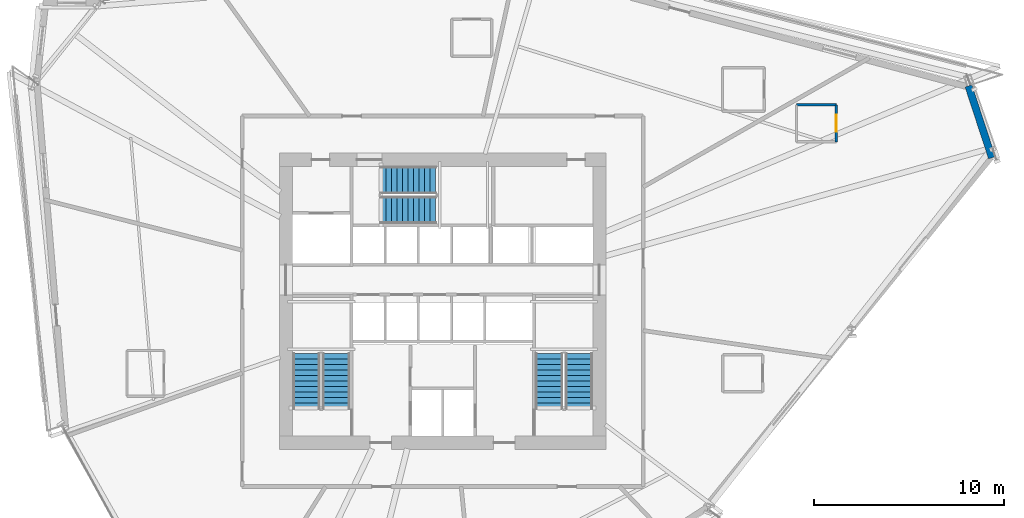
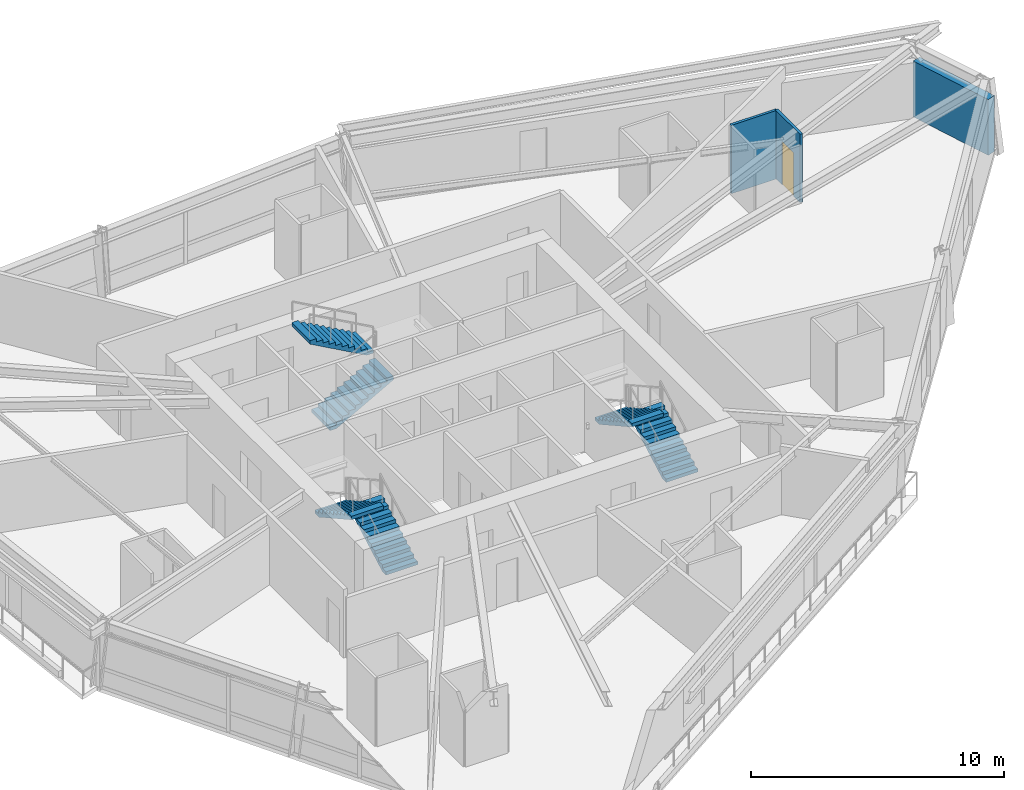
# One storey, part 17 of 21: 6 stair flights, 3 walls, 1 door, 1 opening, 3 elements without a shape of their own.
"""IFC4 building model written with IfcOpenShell, lengths in metres."""

from ifc_helpers import new_model, si_unit, direction, frame, frame_2d, origin, place, context, subcontext, project, spatial, polyline, rectangle, outline, extrude, source, transform, mapped, material, layer, layer_set, type_object, type_shapes, element, fill, aggregate, save


model = new_model("IFC4")

# Units and contexts
model_context = context("Model", 3, precision=1e-05, world=origin(), true_north=direction((0.0, 1.0)))
body_context = subcontext(model_context, "Body", "Model", "MODEL_VIEW")
ifc_project = project(units=[si_unit("LENGTHUNIT", "METRE"), si_unit("AREAUNIT", "SQUARE_METRE"), si_unit("VOLUMEUNIT", "CUBIC_METRE"), si_unit("PLANEANGLEUNIT", "RADIAN"), si_unit("MASSUNIT", "GRAM", prefix="KILO")], contexts=[model_context])

# Site, building, storey
site_placement = place(None, origin())
site = spatial("IfcSite", under=ifc_project, at=site_placement, CompositionType="ELEMENT")
building_placement = place(site_placement, origin())
building = spatial("IfcBuilding", under=site, at=building_placement, Name="Olszyna Solenne Hotel", CompositionType="ELEMENT")
storey_placement = place(building_placement, frame((0.0, 0.0, 109.25)))
storey = spatial("IfcBuildingStorey", under=building, at=storey_placement, Name="L28", CompositionType="ELEMENT", Elevation=109.25)

# Wall
ifc_material_1 = material(Name="Terracotta cladding on precast concrete C45/55", Category="masonry")
ifc_layer_1 = layer(ifc_material_1, 0.3798828125, Name="Terracotta cladding on precast concrete C45/55")
ifc_layer_set_1 = layer_set([ifc_layer_1], Name="Terracotta cladding on precast concrete C45/55")
wall_type_1 = type_object("IfcWallType", Name="WL-EX380", PredefinedType="SOLIDWALL", material=ifc_layer_set_1)
wall_1_placement = place(storey_placement, frame((65.671142578125, 37.9375, 0.0), z_axis=(0.0, 0.0, 1.0), x_axis=(0.311531602634, -0.950235792086, 0.0)))
element("IfcWall", 1, at=wall_1_placement, inside=storey, type_object=wall_type_1, Name="Exterior terracotta-precast frame wall WL-EX380 EW-L28-09", PredefinedType="SOLIDWALL", context=body_context, shape_type="SweptSolid", body=[
    extrude(rectangle(XDim=3.980224609375, YDim=0.3798828125, at=frame_2d((1.990234375, 0.0))), origin(), (0.0, 0.0, 1.0), 2.69189453125),
])

# Wall, opening, door
ifc_material_2 = material(Name="Acoustic gypsum partition", Category="gypsum")
ifc_layer_2 = layer(ifc_material_2, 0.125, Name="Acoustic gypsum partition")
ifc_layer_set_2 = layer_set([ifc_layer_2], Name="Acoustic gypsum partition")
wall_type_2 = type_object("IfcWallType", Name="WL-PT125", PredefinedType="PARTITIONING", material=ifc_layer_set_2)
wall_2_placement = place(storey_placement, frame((58.719970703125, 34.989990234375, 0.0), z_axis=(0.0, 0.0, 1.0), x_axis=(0.0, 1.0, 0.0)))
wall_2 = element("IfcWall", 2, at=wall_2_placement, inside=storey, type_object=wall_type_2, Name="Interior acoustic partition WL-PT125 PW-L28-1642", PredefinedType="PARTITIONING", context=body_context, shape_type="SweptSolid", body=[
    extrude(rectangle(XDim=1.949951171875, YDim=0.125, at=frame_2d((0.97509765625, 0.0))), origin(), (0.0, 0.0, 1.0), 3.300048828125),
])
opening_placement = place(wall_2_placement, frame((0.52490234375, 0.0, 0.0)))
opening = element("IfcOpeningElement", 3, at=opening_placement, cuts=wall_2, Name="Opening DR-L28-0387", PredefinedType="OPENING", context=body_context, shape_type="SweptSolid", body=[
    extrude(rectangle(XDim=0.89990234375, YDim=2.10009765625, at=frame_2d((0.449951171875, 1.050048828125))), frame((0.0, 0.072509765625, 0.0), z_axis=(0.0, -1.0, 0.0), x_axis=(1.0, 0.0, 0.0)), (0.0, 0.0, 1.0), 0.14501953125),
])
ifc_material_3 = material(Name="Timber hardwood", Category="wood")
door_type = type_object("IfcDoorType", Name="DR-WC1", OperationType="NOTDEFINED", PredefinedType="DOOR", material=ifc_material_3)
shared_shape = source(origin(), body_context, "Body", "SweptSolid", [
    extrude(rectangle(XDim=0.89990234375, YDim=2.10009765625, at=frame_2d((0.449951171875, 1.050048828125))), frame((0.0, 0.02490234375, 0.0), z_axis=(0.0, -1.0, 0.0), x_axis=(1.0, 0.0, 0.0)), (0.0, 0.0, 1.0), 0.050048828125),
])
type_shapes(door_type, [shared_shape])
door_placement = place(opening_placement, origin())
door = element("IfcDoor", 4, at=door_placement, inside=storey, type_object=door_type, Name="En-Suite Bathroom Door DR-L28-0387", OperationType="SINGLE_SWING_LEFT", OverallHeight=2.10009765625, OverallWidth=0.89990234375, PredefinedType="DOOR", context=body_context, shape_type="MappedRepresentation", body=[
    mapped(shared_shape, transform((0.0, 0.0, 0.0), x_axis=(1.0, 0.0, 0.0), y_axis=(0.0, 1.0, 0.0), z_axis=(0.0, 0.0, 1.0), scale=1.0)),
])
fill(opening, door)

# Wall
wall_3_placement = place(storey_placement, frame((58.719970703125, 36.93994140625, 0.0), z_axis=(0.0, 0.0, 1.0), x_axis=(-1.0, 0.0, 0.0)))
element("IfcWall", 5, at=wall_3_placement, inside=storey, type_object=wall_type_2, Name="Interior acoustic partition WL-PT125 PW-L28-1643", PredefinedType="PARTITIONING", context=body_context, shape_type="SweptSolid", body=[
    extrude(rectangle(XDim=2.099853515625, YDim=0.125, at=frame_2d((1.0498046875, 0.0))), origin(), (0.0, 0.0, 1.0), 3.300048828125),
])

# Stair, stair flights
ifc_material_4 = material(Name="Concrete C40/50", Category="concrete")
stair_type = type_object("IfcStairType", Name="STR-C1", PredefinedType="TWO_QUARTER_WINDING_STAIR", material=ifc_material_4)
stair_1_placement = place(storey_placement, origin())
stair_1 = element("IfcStair", 6, at=stair_1_placement, inside=storey, type_object=stair_type, Name="L28 ST1", PredefinedType="TWO_QUARTER_WINDING_STAIR")
stair_flight_type = type_object("IfcStairFlightType", Name="FLT-C1", PredefinedType="STRAIGHT", material=ifc_material_4)
stair_flight_1_placement = place(storey_placement, frame((32.39501953125, 20.949951171875, 0.0), z_axis=(0.0, 0.0, 1.0), x_axis=(0.0, 1.0, 0.0)))
stair_flight_1 = element("IfcStairFlight", 7, at=stair_flight_1_placement, type_object=stair_flight_type, Name="ST1 flight 1", NumberOfRisers=11, NumberOfTreads=10, PredefinedType="STRAIGHT", RiserHeight=0.161363636, TreadLength=0.29, context=body_context, shape_type="SweptSolid", body=[
    extrude(outline(polyline([(0.0, 0.0), (0.0, 0.161376953125), (0.2900390625, 0.161376953125), (0.2900390625, 0.32275390625), (0.580078125, 0.32275390625), (0.580078125, 0.484130859375), (0.8701171875, 0.484130859375), (0.8701171875, 0.6455078125), (1.159912109375, 0.6455078125), (1.159912109375, 0.806884765625), (1.449951171875, 0.806884765625), (1.449951171875, 0.96826171875), (1.739990234375, 0.96826171875), (1.739990234375, 1.129638671875), (2.030029296875, 1.129638671875), (2.030029296875, 1.291015625), (2.320068359375, 1.291015625), (2.320068359375, 1.452392578125), (2.610107421875, 1.452392578125), (2.610107421875, 1.613525390625), (2.89990234375, 1.613525390625), (2.89990234375, 1.77490234375), (2.89990234375, 1.442138671875), (0.308349609375, 0.0), (0.0, 0.0)])), frame((0.0, 0.72509765625, 0.0), z_axis=(0.0, -1.0, 0.0), x_axis=(1.0, 0.0, 0.0)), (0.0, 0.0, 1.0), 1.449951171875),
])
stair_flight_2_placement = place(storey_placement, frame((30.824951171875, 23.85009765625, 1.77490234375), z_axis=(0.0, 0.0, 1.0), x_axis=(0.0, -1.0, 0.0)))
stair_flight_2 = element("IfcStairFlight", 8, at=stair_flight_2_placement, type_object=stair_flight_type, Name="ST1 flight 2", NumberOfRisers=11, NumberOfTreads=10, PredefinedType="STRAIGHT", RiserHeight=0.161363636, TreadLength=0.29, context=body_context, shape_type="SweptSolid", body=[
    extrude(outline(polyline([(0.0, 0.0), (0.0, 0.161376953125), (0.2900390625, 0.161376953125), (0.2900390625, 0.32275390625), (0.580078125, 0.32275390625), (0.580078125, 0.484130859375), (0.8701171875, 0.484130859375), (0.8701171875, 0.6455078125), (1.159912109375, 0.6455078125), (1.159912109375, 0.806884765625), (1.449951171875, 0.806884765625), (1.449951171875, 0.96826171875), (1.739990234375, 0.96826171875), (1.739990234375, 1.129638671875), (2.030029296875, 1.129638671875), (2.030029296875, 1.291015625), (2.320068359375, 1.291015625), (2.320068359375, 1.452392578125), (2.610107421875, 1.452392578125), (2.610107421875, 1.613525390625), (2.89990234375, 1.613525390625), (2.89990234375, 1.77490234375), (2.89990234375, 1.442138671875), (0.308349609375, 0.0), (0.0, 0.0)])), frame((0.0, 0.72509765625, 0.0), z_axis=(0.0, -1.0, 0.0), x_axis=(1.0, 0.0, 0.0)), (0.0, 0.0, 1.0), 1.449951171875),
])
aggregate(stair_1, [stair_flight_1, stair_flight_2])

stair_2_placement = place(storey_placement, origin())
stair_2 = element("IfcStair", 9, at=stair_2_placement, inside=storey, type_object=stair_type, Name="L28 ST2", PredefinedType="TWO_QUARTER_WINDING_STAIR")
stair_flight_3_placement = place(storey_placement, frame((45.175048828125, 20.949951171875, 0.0), z_axis=(0.0, 0.0, 1.0), x_axis=(0.0, 1.0, 0.0)))
stair_flight_3 = element("IfcStairFlight", 10, at=stair_flight_3_placement, type_object=stair_flight_type, Name="ST2 flight 1", NumberOfRisers=11, NumberOfTreads=10, PredefinedType="STRAIGHT", RiserHeight=0.161363636, TreadLength=0.29, context=body_context, shape_type="SweptSolid", body=[
    extrude(outline(polyline([(0.0, 0.0), (0.0, 0.161376953125), (0.2900390625, 0.161376953125), (0.2900390625, 0.32275390625), (0.580078125, 0.32275390625), (0.580078125, 0.484130859375), (0.8701171875, 0.484130859375), (0.8701171875, 0.6455078125), (1.159912109375, 0.6455078125), (1.159912109375, 0.806884765625), (1.449951171875, 0.806884765625), (1.449951171875, 0.96826171875), (1.739990234375, 0.96826171875), (1.739990234375, 1.129638671875), (2.030029296875, 1.129638671875), (2.030029296875, 1.291015625), (2.320068359375, 1.291015625), (2.320068359375, 1.452392578125), (2.610107421875, 1.452392578125), (2.610107421875, 1.613525390625), (2.89990234375, 1.613525390625), (2.89990234375, 1.77490234375), (2.89990234375, 1.442138671875), (0.308349609375, 0.0), (0.0, 0.0)])), frame((0.0, 0.72509765625, 0.0), z_axis=(0.0, -1.0, 0.0), x_axis=(1.0, 0.0, 0.0)), (0.0, 0.0, 1.0), 1.449951171875),
])
stair_flight_4_placement = place(storey_placement, frame((43.60498046875, 23.85009765625, 1.77490234375), z_axis=(0.0, 0.0, 1.0), x_axis=(0.0, -1.0, 0.0)))
stair_flight_4 = element("IfcStairFlight", 11, at=stair_flight_4_placement, type_object=stair_flight_type, Name="ST2 flight 2", NumberOfRisers=11, NumberOfTreads=10, PredefinedType="STRAIGHT", RiserHeight=0.161363636, TreadLength=0.29, context=body_context, shape_type="SweptSolid", body=[
    extrude(outline(polyline([(0.0, 0.0), (0.0, 0.161376953125), (0.2900390625, 0.161376953125), (0.2900390625, 0.32275390625), (0.580078125, 0.32275390625), (0.580078125, 0.484130859375), (0.8701171875, 0.484130859375), (0.8701171875, 0.6455078125), (1.159912109375, 0.6455078125), (1.159912109375, 0.806884765625), (1.449951171875, 0.806884765625), (1.449951171875, 0.96826171875), (1.739990234375, 0.96826171875), (1.739990234375, 1.129638671875), (2.030029296875, 1.129638671875), (2.030029296875, 1.291015625), (2.320068359375, 1.291015625), (2.320068359375, 1.452392578125), (2.610107421875, 1.452392578125), (2.610107421875, 1.613525390625), (2.89990234375, 1.613525390625), (2.89990234375, 1.77490234375), (2.89990234375, 1.442138671875), (0.308349609375, 0.0), (0.0, 0.0)])), frame((0.0, 0.72509765625, 0.0), z_axis=(0.0, -1.0, 0.0), x_axis=(1.0, 0.0, 0.0)), (0.0, 0.0, 1.0), 1.449951171875),
])
aggregate(stair_2, [stair_flight_3, stair_flight_4])

stair_3_placement = place(storey_placement, origin())
stair_3 = element("IfcStair", 12, at=stair_3_placement, inside=storey, type_object=stair_type, Name="L28 ST3", PredefinedType="TWO_QUARTER_WINDING_STAIR")
stair_flight_5_placement = place(storey_placement, frame((34.72998046875, 31.405029296875, 0.0), z_axis=(0.0, 0.0, 1.0), x_axis=(1.0, 0.0, 0.0)))
stair_flight_5 = element("IfcStairFlight", 13, at=stair_flight_5_placement, type_object=stair_flight_type, Name="ST3 flight 1", NumberOfRisers=11, NumberOfTreads=10, PredefinedType="STRAIGHT", RiserHeight=0.161363636, TreadLength=0.29, context=body_context, shape_type="SweptSolid", body=[
    extrude(outline(polyline([(0.0, 0.0), (0.0, 0.161376953125), (0.2900390625, 0.161376953125), (0.2900390625, 0.32275390625), (0.580078125, 0.32275390625), (0.580078125, 0.484130859375), (0.8701171875, 0.484130859375), (0.8701171875, 0.6455078125), (1.159912109375, 0.6455078125), (1.159912109375, 0.806884765625), (1.449951171875, 0.806884765625), (1.449951171875, 0.96826171875), (1.739990234375, 0.96826171875), (1.739990234375, 1.129638671875), (2.030029296875, 1.129638671875), (2.030029296875, 1.291015625), (2.320068359375, 1.291015625), (2.320068359375, 1.452392578125), (2.610107421875, 1.452392578125), (2.610107421875, 1.613525390625), (2.89990234375, 1.613525390625), (2.89990234375, 1.77490234375), (2.89990234375, 1.442138671875), (0.308349609375, 0.0), (0.0, 0.0)])), frame((0.0, 0.72509765625, 0.0), z_axis=(0.0, -1.0, 0.0), x_axis=(1.0, 0.0, 0.0)), (0.0, 0.0, 1.0), 1.449951171875),
])
stair_flight_6_placement = place(storey_placement, frame((37.6298828125, 32.97509765625, 1.77490234375), z_axis=(0.0, 0.0, 1.0), x_axis=(-1.0, 0.0, 0.0)))
stair_flight_6 = element("IfcStairFlight", 14, at=stair_flight_6_placement, type_object=stair_flight_type, Name="ST3 flight 2", NumberOfRisers=11, NumberOfTreads=10, PredefinedType="STRAIGHT", RiserHeight=0.161363636, TreadLength=0.29, context=body_context, shape_type="SweptSolid", body=[
    extrude(outline(polyline([(0.0, 0.0), (0.0, 0.161376953125), (0.2900390625, 0.161376953125), (0.2900390625, 0.32275390625), (0.580078125, 0.32275390625), (0.580078125, 0.484130859375), (0.8701171875, 0.484130859375), (0.8701171875, 0.6455078125), (1.159912109375, 0.6455078125), (1.159912109375, 0.806884765625), (1.449951171875, 0.806884765625), (1.449951171875, 0.96826171875), (1.739990234375, 0.96826171875), (1.739990234375, 1.129638671875), (2.030029296875, 1.129638671875), (2.030029296875, 1.291015625), (2.320068359375, 1.291015625), (2.320068359375, 1.452392578125), (2.610107421875, 1.452392578125), (2.610107421875, 1.613525390625), (2.89990234375, 1.613525390625), (2.89990234375, 1.77490234375), (2.89990234375, 1.442138671875), (0.308349609375, 0.0), (0.0, 0.0)])), frame((0.0, 0.72509765625, 0.0), z_axis=(0.0, -1.0, 0.0), x_axis=(1.0, 0.0, 0.0)), (0.0, 0.0, 1.0), 1.449951171875),
])
aggregate(stair_3, [stair_flight_5, stair_flight_6])

save(model, "model.ifc")
